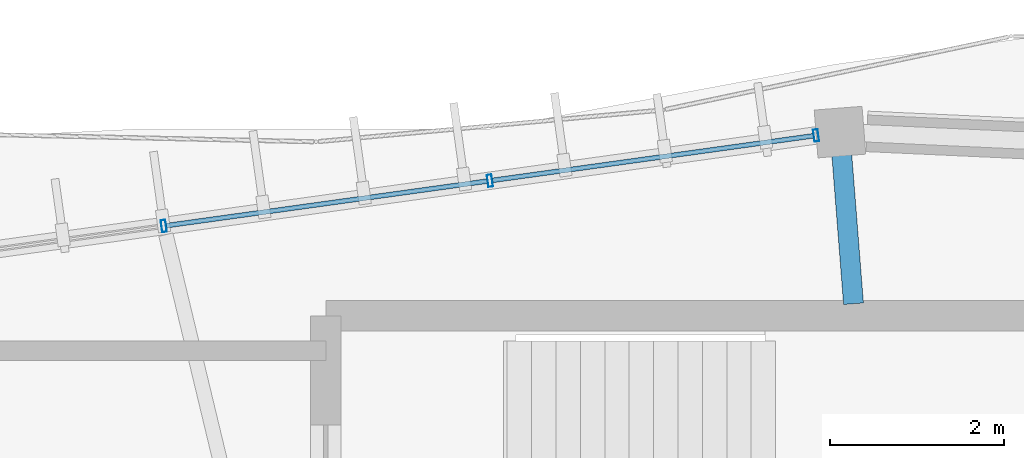
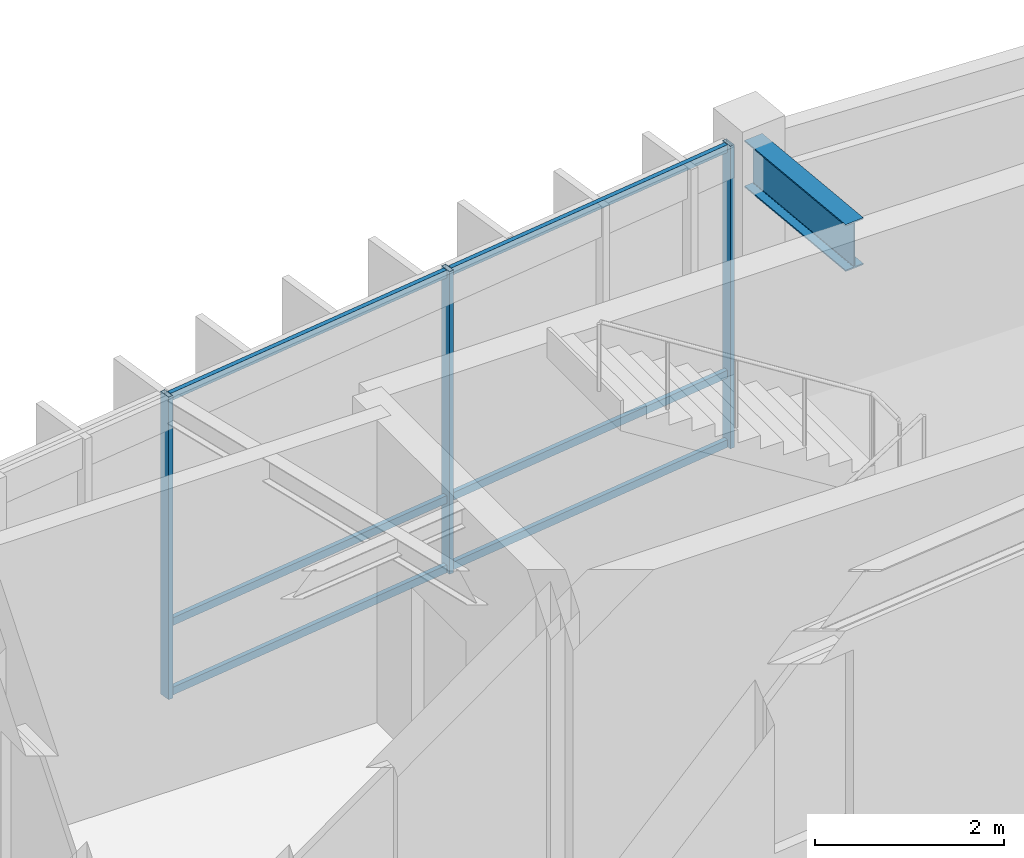
# One storey, part 37 of 79: 9 members, 1 beam, 1 element without a shape of its own.
"""IFC4 building model written with IfcOpenShell, lengths in metres."""

from ifc_helpers import new_model, si_unit, direction, frame, origin, origin_2d, place, context, subcontext, project, spatial, hollow_rectangle, i_section, extrude, material, material_profile, profile_set, type_object, element, aggregate, save


model = new_model("IFC4")

# Units and contexts
model_context = context("Model", 3, precision=1e-05, world=origin(), true_north=direction((0.0, 1.0)))
body_context = subcontext(model_context, "Body", "Model", "MODEL_VIEW")
ifc_project = project(units=[si_unit("LENGTHUNIT", "METRE"), si_unit("AREAUNIT", "SQUARE_METRE"), si_unit("VOLUMEUNIT", "CUBIC_METRE"), si_unit("PLANEANGLEUNIT", "RADIAN"), si_unit("MASSUNIT", "GRAM", prefix="KILO"), si_unit("THERMODYNAMICTEMPERATUREUNIT", "KELVIN"), si_unit("POWERUNIT", "WATT")], contexts=[model_context])

# Site, building, storey
site_placement = place(None, origin())
site = spatial("IfcSite", under=ifc_project, at=site_placement, CompositionType="ELEMENT")
building_placement = place(site_placement, origin())
building = spatial("IfcBuilding", under=site, at=building_placement, Name="Darbajah Civic Hall", CompositionType="ELEMENT")
storey_placement = place(building_placement, frame((0.0, 0.0, 22.199951171875)))
storey = spatial("IfcBuildingStorey", under=building, at=storey_placement, Name="L05", CompositionType="ELEMENT", Elevation=22.199951171875)

# Curtain wall, members
ifc_material_1 = material(Name="Anodised Bronze Aluminium and Low-E Glazing", Category="aluminium")
curtain_wall_type = type_object("IfcCurtainWallType", Name="Unitised Curtain Wall CW-66 15100x3900", PredefinedType="USERDEFINED", material=ifc_material_1)
curtain_wall_placement = place(storey_placement, origin())
curtain_wall = element("IfcCurtainWall", 1, at=curtain_wall_placement, inside=storey, type_object=curtain_wall_type, Name="L05 unitised curtain wall CW-V1O-L05-05", ObjectType="UNITISED CURTAIN WALL", PredefinedType="USERDEFINED")
ifc_material_2 = material(Name="Anodised Bronze Aluminium", Category="aluminium")
ifc_material_profile_1 = material_profile(ifc_material_2, hollow_rectangle(XDim=0.054931640625, YDim=0.139892578125, WallThickness=0.003173828125, at=origin_2d()), Name="ALU MULLION 55x140")
ifc_profile_set_1 = profile_set([ifc_material_profile_1], Name="Anodised Bronze Aluminium")
member_type_1 = type_object("IfcMemberType", Name="ALU MULLION 55x140", PredefinedType="MULLION", material=ifc_profile_set_1)
member_1_placement = place(storey_placement, frame((84.82421875, 119.1708984375, 0.0), z_axis=(0.0, 0.0, 1.0), x_axis=(-0.990485459553, -0.137617420457, 0.0)))
member_1 = element("IfcMember", 2, at=member_1_placement, type_object=member_type_1, Name="CW-V1O-L05-05 mullion 1", PredefinedType="MULLION", context=body_context, shape_type="SweptSolid", body=[
    extrude(hollow_rectangle(XDim=0.054931640625, YDim=0.139892578125, WallThickness=0.003173828125, at=origin_2d()), origin(), (0.0, 0.0, 1.0), 3.920166015625),
])
member_2_placement = place(storey_placement, frame((81.08251953125, 118.6513671875, 0.0), z_axis=(0.0, 0.0, 1.0), x_axis=(-0.990485459553, -0.137617420457, 0.0)))
member_2 = element("IfcMember", 3, at=member_2_placement, type_object=member_type_1, Name="CW-V1O-L05-05 mullion 2", PredefinedType="MULLION", context=body_context, shape_type="SweptSolid", body=[
    extrude(hollow_rectangle(XDim=0.054931640625, YDim=0.139892578125, WallThickness=0.003173828125, at=origin_2d()), origin(), (0.0, 0.0, 1.0), 3.920166015625),
])
member_3_placement = place(storey_placement, frame((77.3408203125, 118.1318359375, 0.0), z_axis=(0.0, 0.0, 1.0), x_axis=(-0.990485459553, -0.137617420457, 0.0)))
member_3 = element("IfcMember", 4, at=member_3_placement, type_object=member_type_1, Name="CW-V1O-L05-05 mullion 3", PredefinedType="MULLION", context=body_context, shape_type="SweptSolid", body=[
    extrude(hollow_rectangle(XDim=0.054931640625, YDim=0.139892578125, WallThickness=0.003173828125, at=origin_2d()), origin(), (0.0, 0.0, 1.0), 3.920166015625),
])
ifc_material_profile_2 = material_profile(ifc_material_2, hollow_rectangle(XDim=0.054931640625, YDim=0.10009765625, WallThickness=0.0029296875, at=origin_2d()), Name="ALU TRANSOM 55x100")
ifc_profile_set_2 = profile_set([ifc_material_profile_2], Name="Anodised Bronze Aluminium")
member_type_2 = type_object("IfcMemberType", Name="ALU TRANSOM 55x100", PredefinedType="USERDEFINED", material=ifc_profile_set_2)
member_4_placement = place(storey_placement, frame((84.7919921875, 119.16650390625, 0.050048828125), z_axis=(-0.990491775359, -0.137571955521, 0.0), x_axis=(0.137571955521, -0.990491775359, 0.0)))
member_4 = element("IfcMember", 5, at=member_4_placement, type_object=member_type_2, Name="CW-V1O-L05-05 transom 1.1", ObjectType="TRANSOM", PredefinedType="USERDEFINED", context=body_context, shape_type="SweptSolid", body=[
    extrude(hollow_rectangle(XDim=0.054931640625, YDim=0.10009765625, WallThickness=0.0029296875, at=origin_2d()), origin(), (0.0, 0.0, 1.0), 3.712646484375),
])
member_5_placement = place(storey_placement, frame((84.7919921875, 119.16650390625, 0.949951171875), z_axis=(-0.990491775359, -0.137571955521, 0.0), x_axis=(0.137571955521, -0.990491775359, 0.0)))
member_5 = element("IfcMember", 6, at=member_5_placement, type_object=member_type_2, Name="CW-V1O-L05-05 transom 1.2", ObjectType="TRANSOM", PredefinedType="USERDEFINED", context=body_context, shape_type="SweptSolid", body=[
    extrude(hollow_rectangle(XDim=0.054931640625, YDim=0.10009765625, WallThickness=0.0029296875, at=origin_2d()), origin(), (0.0, 0.0, 1.0), 3.712646484375),
])
member_6_placement = place(storey_placement, frame((84.7919921875, 119.16650390625, 3.8701171875), z_axis=(-0.990491775359, -0.137571955521, 0.0), x_axis=(0.137571955521, -0.990491775359, 0.0)))
member_6 = element("IfcMember", 7, at=member_6_placement, type_object=member_type_2, Name="CW-V1O-L05-05 transom 1.3", ObjectType="TRANSOM", PredefinedType="USERDEFINED", context=body_context, shape_type="SweptSolid", body=[
    extrude(hollow_rectangle(XDim=0.054931640625, YDim=0.10009765625, WallThickness=0.0029296875, at=origin_2d()), origin(), (0.0, 0.0, 1.0), 3.712646484375),
])
member_7_placement = place(storey_placement, frame((81.05029296875, 118.64697265625, 0.050048828125), z_axis=(-0.990491775359, -0.137571955521, 0.0), x_axis=(0.137571955521, -0.990491775359, 0.0)))
member_7 = element("IfcMember", 8, at=member_7_placement, type_object=member_type_2, Name="CW-V1O-L05-05 transom 2.1", ObjectType="TRANSOM", PredefinedType="USERDEFINED", context=body_context, shape_type="SweptSolid", body=[
    extrude(hollow_rectangle(XDim=0.054931640625, YDim=0.10009765625, WallThickness=0.0029296875, at=origin_2d()), origin(), (0.0, 0.0, 1.0), 3.712646484375),
])
member_8_placement = place(storey_placement, frame((81.05029296875, 118.64697265625, 0.949951171875), z_axis=(-0.990491775359, -0.137571955521, 0.0), x_axis=(0.137571955521, -0.990491775359, 0.0)))
member_8 = element("IfcMember", 9, at=member_8_placement, type_object=member_type_2, Name="CW-V1O-L05-05 transom 2.2", ObjectType="TRANSOM", PredefinedType="USERDEFINED", context=body_context, shape_type="SweptSolid", body=[
    extrude(hollow_rectangle(XDim=0.054931640625, YDim=0.10009765625, WallThickness=0.0029296875, at=origin_2d()), origin(), (0.0, 0.0, 1.0), 3.712646484375),
])
member_9_placement = place(storey_placement, frame((81.05029296875, 118.64697265625, 3.8701171875), z_axis=(-0.990491775359, -0.137571955521, 0.0), x_axis=(0.137571955521, -0.990491775359, 0.0)))
member_9 = element("IfcMember", 10, at=member_9_placement, type_object=member_type_2, Name="CW-V1O-L05-05 transom 2.3", ObjectType="TRANSOM", PredefinedType="USERDEFINED", context=body_context, shape_type="SweptSolid", body=[
    extrude(hollow_rectangle(XDim=0.054931640625, YDim=0.10009765625, WallThickness=0.0029296875, at=origin_2d()), origin(), (0.0, 0.0, 1.0), 3.712646484375),
])
aggregate(curtain_wall, [member_1, member_2, member_3, member_4, member_5, member_6, member_7, member_8, member_9])

# Beam
ifc_material_3 = material(Name="Steel S355JR", Category="steel")
ifc_material_profile_3 = material_profile(ifc_material_3, i_section(OverallWidth=0.228271484375, OverallDepth=0.607666015625, WebThickness=0.010986328125, FlangeThickness=0.017333984375, FilletRadius=0.0126953125, at=origin_2d()), Name="UB 610x229x113")
ifc_profile_set_3 = profile_set([ifc_material_profile_3], Name="Steel S355JR")
beam_type = type_object("IfcBeamType", Name="UB 610x229x113", PredefinedType="BEAM", material=ifc_profile_set_3)
beam_placement = place(storey_placement, frame((85.253662109375, 117.239990234375, 3.6162109375), z_axis=(-0.078449812785, 0.996918064273, 0.0), x_axis=(-0.996918064273, -0.078449812785, 0.0)))
element("IfcBeam", 11, at=beam_placement, inside=storey, type_object=beam_type, Name="L05 beam SB-610", PredefinedType="BEAM", context=body_context, shape_type="SweptSolid", body=[
    extrude(i_section(OverallWidth=0.228271484375, OverallDepth=0.607666015625, WebThickness=0.010986328125, FlangeThickness=0.017333984375, FilletRadius=0.0126953125, at=origin_2d()), origin(), (0.0, 0.0, 1.0), 1.895263671875),
])

save(model, "model.ifc")
